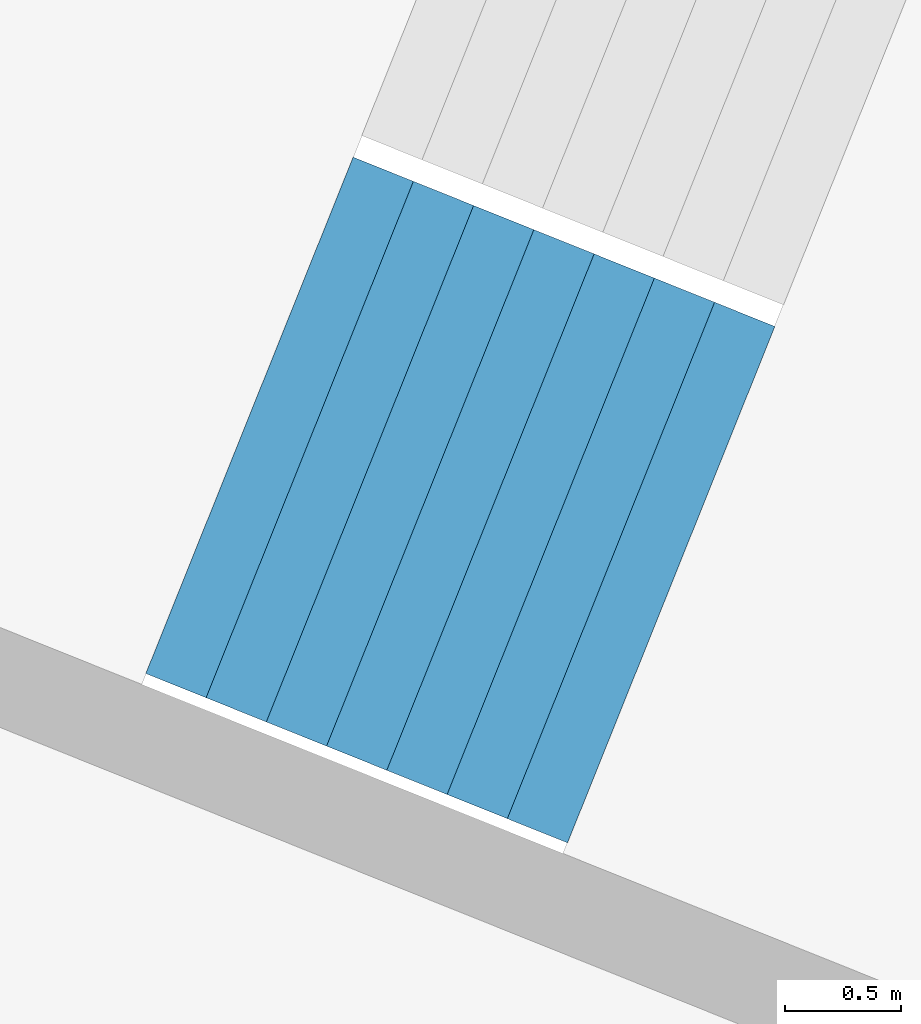
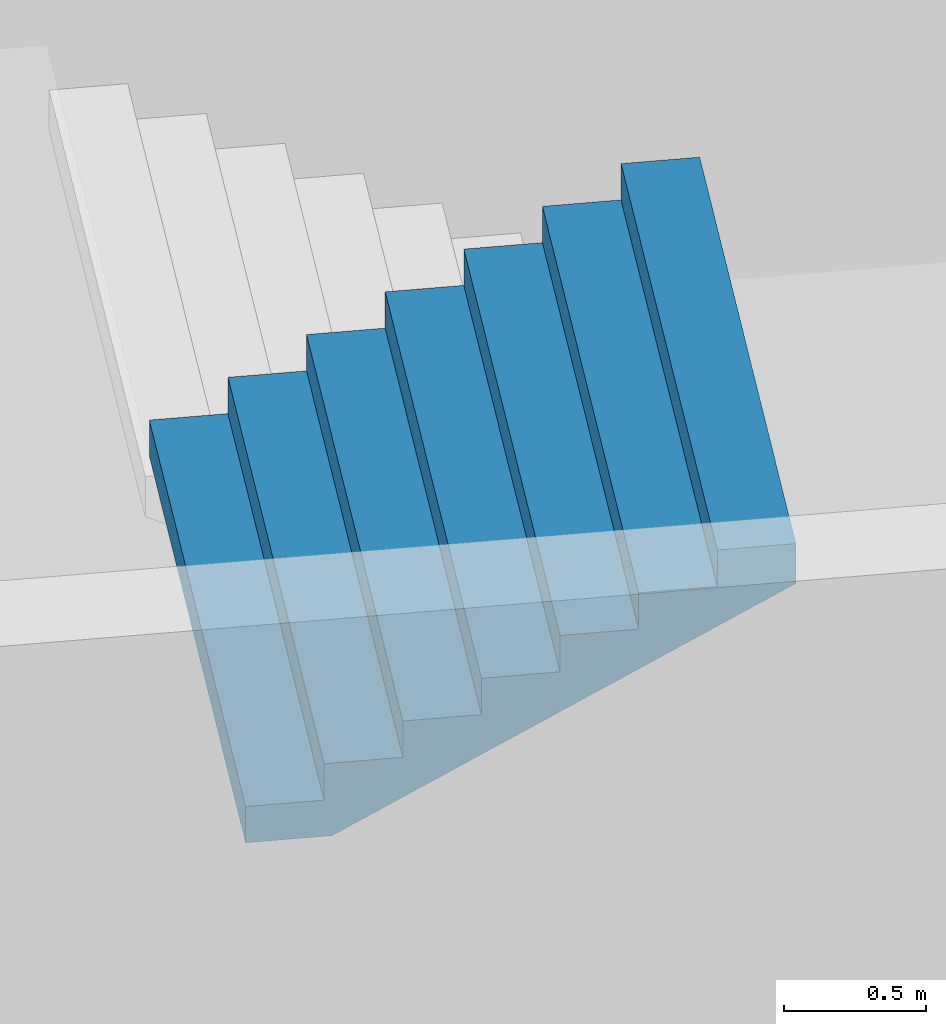
# One storey, part 34 of 73: 1 stair flight, 1 element without a shape of its own.
"""IFC4 building model written with IfcOpenShell, lengths in metres."""

import ifcopenshell
import ifcopenshell.guid

model = None  # the IFC model being written
_history = None  # IfcOwnerHistory: only IFC2X3 demands one
_inside = {}  # id of a spatial element -> (the spatial element, [elements in it])
_under = {}  # id of a project, library or spatial element -> (it, [spatial elements below it])
_declared = {}  # id of a project -> (the project, [libraries it declares])
_typed = {}  # id of a type object -> (the type object, [elements of that type])
_made_of = {}  # id of a material, layer set ... -> (it, [elements and type objects made of it])


def new_model(schema):
    """Start an empty IFC model of exactly this schema.

    Asked for "IFC4X3", IfcOpenShell would pick the latest addendum, in which some entities
    have other attributes; the version numbers below select the first issue.
    IFC2X3 requires an IfcOwnerHistory on every rooted entity: one is made here for all.
    """
    global model, _history
    if schema == "IFC4X3":
        model = ifcopenshell.file(schema_version=(4, 3, 0, 0))
    else:
        model = ifcopenshell.file(schema=schema)
    _inside.clear()
    _under.clear()
    _declared.clear()
    _typed.clear()
    _made_of.clear()
    _history = None
    if model.schema == "IFC2X3":
        org = make("IfcOrganization", Name="unknown")
        user = make(
            "IfcPersonAndOrganization",
            ThePerson=make("IfcPerson", FamilyName="unknown"),
            TheOrganization=org,
        )
        app = make(
            "IfcApplication",
            ApplicationDeveloper=org,
            Version="unknown",
            ApplicationFullName="unknown",
            ApplicationIdentifier="unknown",
        )
        _history = make(
            "IfcOwnerHistory",
            OwningUser=user,
            OwningApplication=app,
            ChangeAction="ADDED",
            CreationDate=0,
        )
    return model


def make(cls, **values):
    """One entity of the class cls with the attributes given. An attribute that is None is left unset."""
    return model.create_entity(
        cls, **{name: value for name, value in values.items() if value is not None}
    )


def rooted(cls, **values):
    """An entity with a GlobalId (a new one), such as an element, a storey or a relation."""
    return make(cls, GlobalId=ifcopenshell.guid.new(), OwnerHistory=_history, **values)


def si_unit(unit_type, name, prefix=None):
    """IfcSIUnit, for example si_unit("LENGTHUNIT", "METRE", prefix="MILLI")."""
    return make("IfcSIUnit", UnitType=unit_type, Prefix=prefix, Name=name)


def assignment(units):
    """IfcUnitAssignment: the units of a project."""
    return None if units is None else make("IfcUnitAssignment", Units=units)


def point(xyz):
    """IfcCartesianPoint."""
    return None if xyz is None else make("IfcCartesianPoint", Coordinates=xyz)


def direction(xyz):
    """IfcDirection."""
    return None if xyz is None else make("IfcDirection", DirectionRatios=xyz)


def frame(location, z_axis=None, x_axis=None):
    """IfcAxis2Placement3D, a coordinate frame: its origin and axes. An axis left out is left unset."""
    return make(
        "IfcAxis2Placement3D",
        Location=point(location),
        Axis=direction(z_axis),
        RefDirection=direction(x_axis),
    )


def origin():
    """The frame at (0, 0, 0) with its axes left unset."""
    return frame((0.0, 0.0, 0.0))


def place(relative_to, where):
    """IfcLocalPlacement: puts the frame where relative to a parent placement (None: the world)."""
    return make(
        "IfcLocalPlacement", PlacementRelTo=relative_to, RelativePlacement=where
    )


def context(
    kind, dimensions, precision=None, world=None, true_north=None, identifier=None
):
    """IfcGeometricRepresentationContext, for example the 3D "Model" context."""
    return make(
        "IfcGeometricRepresentationContext",
        ContextIdentifier=identifier,
        ContextType=kind,
        CoordinateSpaceDimension=dimensions,
        Precision=precision,
        WorldCoordinateSystem=world,
        TrueNorth=true_north,
    )


def subcontext(parent, identifier, kind, view, scale=None):
    """IfcGeometricRepresentationSubContext, for example "Body" below "Model"."""
    return make(
        "IfcGeometricRepresentationSubContext",
        ContextIdentifier=identifier,
        ContextType=kind,
        ParentContext=parent,
        TargetScale=scale,
        TargetView=view,
    )


def project(units=None, contexts=None):
    """IfcProject with its units and contexts."""
    return rooted(
        "IfcProject",
        Name="project",
        RepresentationContexts=contexts,
        UnitsInContext=assignment(units),
    )


def spatial(cls, under=None, at=None, **own):
    """A site, building, storey or space (cls), placed at a placement, below another one or the project."""
    s = rooted(cls, ObjectPlacement=at, **own)
    if under is not None:
        _under.setdefault(under.id(), (under, []))[1].append(s)
    return s


def point_list(points):
    """IfcCartesianPointList2D or 3D."""
    cls = (
        "IfcCartesianPointList2D" if len(points[0]) == 2 else "IfcCartesianPointList3D"
    )
    return make(cls, CoordList=points)


def triangles(points, corners, closed=None, point_numbers=None):
    """IfcTriangulatedFaceSet: each triangle names its three corners, points numbered from 1."""
    return make(
        "IfcTriangulatedFaceSet",
        Coordinates=point_list(points),
        Closed=closed,
        CoordIndex=corners,
        PnIndex=point_numbers,
    )


def shape(context_of_items, identifier, shape_type, items):
    """IfcShapeRepresentation: the items that make up one representation, for example the "Body"."""
    return make(
        "IfcShapeRepresentation",
        ContextOfItems=context_of_items,
        RepresentationIdentifier=identifier,
        RepresentationType=shape_type,
        Items=items,
    )


def material(Name=None, Category=None):
    """IfcMaterial."""
    return make("IfcMaterial", Name=Name, Category=Category)


def made_of(thing, what):
    """Note that an element or type object is made of a material, layer set ...; save() writes the relation."""
    if what is not None:
        _made_of.setdefault(what.id(), (what, []))[1].append(thing)
    return thing


def type_object(cls, material=None, **own):
    """A type object (cls), such as IfcWallType, which elements share."""
    return made_of(rooted(cls, **own), material)


def element(
    cls,
    number,
    at=None,
    inside=None,
    cuts=None,
    type_object=None,
    material=None,
    context=None,
    identifier="Body",
    shape_type=None,
    held_by="IfcProductDefinitionShape",
    body=None,
    shapes=None,
    **own,
):
    """One element of the class cls, such as IfcWall. Its Tag is "e" and its number.

    at: its placement. inside: the storey or other place that contains it. cuts: it is an
    opening in that element (IfcRelVoidsElement). A single representation is given by context,
    identifier, shape_type and body (its items); several are given by shapes. held_by: the class
    of the entity that holds the representations. save() writes the other relations.
    """
    e = rooted(cls, Tag="e%d" % number, ObjectPlacement=at, **own)
    if body is not None:
        shapes = [shape(context, identifier, shape_type, body)]
    if shapes is not None:
        e.Representation = make(held_by, Representations=shapes)
    if inside is not None:
        _inside.setdefault(inside.id(), (inside, []))[1].append(e)
    if cuts is not None:
        rooted(
            "IfcRelVoidsElement", RelatingBuildingElement=cuts, RelatedOpeningElement=e
        )
    if type_object is not None:
        _typed.setdefault(type_object.id(), (type_object, []))[1].append(e)
    return made_of(e, material)


def aggregate(whole, parts):
    """IfcRelAggregates: a whole, such as a stair, and the parts it consists of."""
    return rooted("IfcRelAggregates", RelatingObject=whole, RelatedObjects=parts)


def save(model, path):
    """Write the relations noted so far, then the file.

    IfcRelAggregates (storeys below a building ...), IfcRelContainedInSpatialStructure (elements
    in a storey), IfcRelDefinesByType, IfcRelAssociatesMaterial and IfcRelDeclares: one each for
    every whole, place, type object, material and project.
    """
    for whole, parts in _under.values():
        aggregate(whole, parts)
    for where, things in _inside.values():
        rooted(
            "IfcRelContainedInSpatialStructure",
            RelatedElements=things,
            RelatingStructure=where,
        )
    for kind, things in _typed.values():
        rooted("IfcRelDefinesByType", RelatedObjects=things, RelatingType=kind)
    for what, things in _made_of.values():
        rooted("IfcRelAssociatesMaterial", RelatedObjects=things, RelatingMaterial=what)
    for by, libraries in _declared.values():
        rooted("IfcRelDeclares", RelatingContext=by, RelatedDefinitions=libraries)
    model.write(path)


model = new_model("IFC4")

# Units and contexts
model_context = context("Model", 3, precision=1e-05, world=origin(), true_north=direction((0.0, 1.0)))
body_context = subcontext(model_context, "Body", "Model", "MODEL_VIEW")
ifc_project = project(units=[si_unit("LENGTHUNIT", "METRE"), si_unit("AREAUNIT", "SQUARE_METRE"), si_unit("VOLUMEUNIT", "CUBIC_METRE"), si_unit("PLANEANGLEUNIT", "RADIAN"), si_unit("MASSUNIT", "GRAM", prefix="KILO")], contexts=[model_context])

# Site, building, storey
site_placement = place(None, origin())
site = spatial("IfcSite", under=ifc_project, at=site_placement, CompositionType="ELEMENT")
building_placement = place(site_placement, origin())
building = spatial("IfcBuilding", under=site, at=building_placement, Name="Lantaw Convention Tower", CompositionType="ELEMENT")
storey_placement = place(building_placement, frame((0.0, 0.0, 27.0)))
storey = spatial("IfcBuildingStorey", under=building, at=storey_placement, Name="L04", CompositionType="ELEMENT", Elevation=27.0)

# Stair, stair flight
ifc_material = material(Name="Concrete C35/45", Category="concrete")
stair_type = type_object("IfcStairType", Name="Exit stair 2400 riser 156.25 in 4 flights", PredefinedType="HALF_TURN_STAIR", material=ifc_material)
stair_placement = place(storey_placement, origin())
stair = element("IfcStair", 1, at=stair_placement, inside=storey, type_object=stair_type, Name="Podium exit stair P8 L04", PredefinedType="HALF_TURN_STAIR")
stair_flight_type = type_object("IfcStairFlightType", Name="Stair flight 2400 riser 156.25", PredefinedType="STRAIGHT", material=ifc_material)
stair_flight_placement = place(storey_placement, frame((-38.5498046875, 14.12841796875, 3.75), z_axis=(0.0, 0.0, 1.0), x_axis=(0.928015168305, -0.372542410198, 0.0)))
stair_flight = element("IfcStairFlight", 2, at=stair_flight_placement, type_object=stair_flight_type, Name="P8 flight 4", NumberOfRisers=8, NumberOfTreads=7, PredefinedType="STRAIGHT", RiserHeight=0.15625, TreadLength=0.28, context=body_context, shape_type="Tessellation", body=[
    triangles([(0.0, 1.199951171875, 0.0), (0.0, 1.199951171875, 0.15625), (0.28, 1.199951171875, 0.0), (0.28, 1.199951171875, 0.15625), (0.28, 1.199951171875, 0.3125), (0.3076200632058044, 1.199951171875, 0.0), (0.3076200632058044, 1.199951171875, 0.3125), (0.56, 1.199951171875, 0.14083701830033238), (0.56, 1.199951171875, 0.3125), (0.56, 1.199951171875, 0.46875), (0.8400000000000001, 1.199951171875, 0.29708701830033235), (0.8400000000000001, 1.199951171875, 0.46875), (0.8400000000000001, 1.199951171875, 0.625), (1.12, 1.199951171875, 0.45333701830033235), (1.12, 1.199951171875, 0.625), (1.12, 1.199951171875, 0.78125), (1.4000000000000001, 1.199951171875, 0.6095870183003324), (1.4000000000000001, 1.199951171875, 0.78125), (1.4000000000000001, 1.199951171875, 0.9375), (1.6800000000000002, 1.199951171875, 0.7658370183003324), (1.6800000000000002, 1.199951171875, 0.9375), (1.6800000000000002, 1.199951171875, 1.09375), (1.9600000000000002, 1.199951171875, 0.9220870183003324), (1.9600000000000002, 1.199951171875, 1.09375), (0.0, -1.199951171875, 0.0), (0.0, -1.199951171875, 0.15625), (0.28, -1.199951171875, 0.0), (0.28, -1.199951171875, 0.15625), (0.28, -1.199951171875, 0.3125), (0.3076200632058044, -1.199951171875, 0.0), (0.3076200632058044, -1.199951171875, 0.3125), (0.56, -1.199951171875, 0.14083701830033238), (0.56, -1.199951171875, 0.3125), (0.56, -1.199951171875, 0.46875), (0.8400000000000001, -1.199951171875, 0.29708701830033235), (0.8400000000000001, -1.199951171875, 0.46875), (0.8400000000000001, -1.199951171875, 0.625), (1.12, -1.199951171875, 0.45333701830033235), (1.12, -1.199951171875, 0.625), (1.12, -1.199951171875, 0.78125), (1.4000000000000001, -1.199951171875, 0.6095870183003324), (1.4000000000000001, -1.199951171875, 0.78125), (1.4000000000000001, -1.199951171875, 0.9375), (1.6800000000000002, -1.199951171875, 0.7658370183003324), (1.6800000000000002, -1.199951171875, 0.9375), (1.6800000000000002, -1.199951171875, 1.09375), (1.9600000000000002, -1.199951171875, 0.9220870183003324), (1.9600000000000002, -1.199951171875, 1.09375), (0.0, 0.239990234375, 0.15625), (0.0, 0.239990234375, 0.0), (0.0, 0.1919921875, 0.15625), (0.0, 0.1919921875, 0.0), (0.0, 0.143994140625, 0.15625), (0.0, 0.143994140625, 0.0), (0.0, 0.09599609375, 0.15625), (0.0, 0.09599609375, 0.0), (0.0, 0.047998046875, 0.15625), (0.0, 0.047998046875, 0.0), (0.0, 0.0, 0.15625), (0.0, 0.0, 0.0), (0.0, -0.047998046875, 0.15625), (0.0, -0.047998046875, 0.0), (0.0, -0.09599609375, 0.15625), (0.0, -0.09599609375, 0.0), (0.0, -0.143994140625, 0.15625), (0.0, -0.143994140625, 0.0), (0.0, -0.1919921875, 0.15625), (0.0, -0.1919921875, 0.0), (0.0, -0.239990234375, 0.15625), (0.0, -0.239990234375, 0.0), (0.28, 0.239990234375, 0.3125), (0.28, 0.239990234375, 0.15625), (0.28, 0.1919921875, 0.3125), (0.28, 0.1919921875, 0.15625), (0.28, 0.143994140625, 0.3125), (0.28, 0.143994140625, 0.15625), (0.28, 0.09599609375, 0.3125), (0.28, 0.09599609375, 0.15625), (0.28, 0.047998046875, 0.3125), (0.28, 0.047998046875, 0.15625), (0.28, 0.0, 0.3125), (0.28, 0.0, 0.15625), (0.28, -0.047998046875, 0.3125), (0.28, -0.047998046875, 0.15625), (0.28, -0.09599609375, 0.3125), (0.28, -0.09599609375, 0.15625), (0.28, -0.143994140625, 0.3125), (0.28, -0.143994140625, 0.15625), (0.28, -0.1919921875, 0.3125), (0.28, -0.1919921875, 0.15625), (0.28, -0.239990234375, 0.3125), (0.28, -0.239990234375, 0.15625), (0.56, 0.239990234375, 0.46875), (0.56, 0.239990234375, 0.3125), (0.56, 0.1919921875, 0.46875), (0.56, 0.1919921875, 0.3125), (0.56, 0.143994140625, 0.46875), (0.56, 0.143994140625, 0.3125), (0.56, 0.09599609375, 0.46875), (0.56, 0.09599609375, 0.3125), (0.56, 0.047998046875, 0.46875), (0.56, 0.047998046875, 0.3125), (0.56, 0.0, 0.46875), (0.56, 0.0, 0.3125), (0.56, -0.047998046875, 0.46875), (0.56, -0.047998046875, 0.3125), (0.56, -0.09599609375, 0.46875), (0.56, -0.09599609375, 0.3125), (0.56, -0.143994140625, 0.46875), (0.56, -0.143994140625, 0.3125), (0.56, -0.1919921875, 0.46875), (0.56, -0.1919921875, 0.3125), (0.56, -0.239990234375, 0.46875), (0.56, -0.239990234375, 0.3125), (0.8400000000000001, 0.239990234375, 0.625), (0.8400000000000001, 0.239990234375, 0.46875), (0.8400000000000001, 0.1919921875, 0.625), (0.8400000000000001, 0.1919921875, 0.46875), (0.8400000000000001, 0.143994140625, 0.625), (0.8400000000000001, 0.143994140625, 0.46875), (0.8400000000000001, 0.09599609375, 0.625), (0.8400000000000001, 0.09599609375, 0.46875), (0.8400000000000001, 0.047998046875, 0.625), (0.8400000000000001, 0.047998046875, 0.46875), (0.8400000000000001, 0.0, 0.625), (0.8400000000000001, 0.0, 0.46875), (0.8400000000000001, -0.047998046875, 0.625), (0.8400000000000001, -0.047998046875, 0.46875), (0.8400000000000001, -0.09599609375, 0.625), (0.8400000000000001, -0.09599609375, 0.46875), (0.8400000000000001, -0.143994140625, 0.625), (0.8400000000000001, -0.143994140625, 0.46875), (0.8400000000000001, -0.1919921875, 0.625), (0.8400000000000001, -0.1919921875, 0.46875), (0.8400000000000001, -0.239990234375, 0.625), (0.8400000000000001, -0.239990234375, 0.46875), (1.12, 0.239990234375, 0.78125), (1.12, 0.239990234375, 0.625), (1.12, 0.1919921875, 0.78125), (1.12, 0.1919921875, 0.625), (1.12, 0.143994140625, 0.78125), (1.12, 0.143994140625, 0.625), (1.12, 0.09599609375, 0.78125), (1.12, 0.09599609375, 0.625), (1.12, 0.047998046875, 0.78125), (1.12, 0.047998046875, 0.625), (1.12, 0.0, 0.78125), (1.12, 0.0, 0.625), (1.12, -0.047998046875, 0.78125), (1.12, -0.047998046875, 0.625), (1.12, -0.09599609375, 0.78125), (1.12, -0.09599609375, 0.625), (1.12, -0.143994140625, 0.78125), (1.12, -0.143994140625, 0.625), (1.12, -0.1919921875, 0.78125), (1.12, -0.1919921875, 0.625), (1.12, -0.239990234375, 0.78125), (1.12, -0.239990234375, 0.625), (1.4000000000000001, 0.239990234375, 0.9375), (1.4000000000000001, 0.239990234375, 0.78125), (1.4000000000000001, 0.1919921875, 0.9375), (1.4000000000000001, 0.1919921875, 0.78125), (1.4000000000000001, 0.143994140625, 0.9375), (1.4000000000000001, 0.143994140625, 0.78125), (1.4000000000000001, 0.09599609375, 0.9375), (1.4000000000000001, 0.09599609375, 0.78125), (1.4000000000000001, 0.047998046875, 0.9375), (1.4000000000000001, 0.047998046875, 0.78125), (1.4000000000000001, 0.0, 0.9375), (1.4000000000000001, 0.0, 0.78125), (1.4000000000000001, -0.047998046875, 0.9375), (1.4000000000000001, -0.047998046875, 0.78125), (1.4000000000000001, -0.09599609375, 0.9375), (1.4000000000000001, -0.09599609375, 0.78125), (1.4000000000000001, -0.143994140625, 0.9375), (1.4000000000000001, -0.143994140625, 0.78125), (1.4000000000000001, -0.1919921875, 0.9375), (1.4000000000000001, -0.1919921875, 0.78125), (1.4000000000000001, -0.239990234375, 0.9375), (1.4000000000000001, -0.239990234375, 0.78125), (1.6800000000000002, 0.239990234375, 1.09375), (1.6800000000000002, 0.239990234375, 0.9375), (1.6800000000000002, 0.1919921875, 1.09375), (1.6800000000000002, 0.1919921875, 0.9375), (1.6800000000000002, 0.143994140625, 1.09375), (1.6800000000000002, 0.143994140625, 0.9375), (1.6800000000000002, 0.09599609375, 1.09375), (1.6800000000000002, 0.09599609375, 0.9375), (1.6800000000000002, 0.047998046875, 1.09375), (1.6800000000000002, 0.047998046875, 0.9375), (1.6800000000000002, 0.0, 1.09375), (1.6800000000000002, 0.0, 0.9375), (1.6800000000000002, -0.047998046875, 1.09375), (1.6800000000000002, -0.047998046875, 0.9375), (1.6800000000000002, -0.09599609375, 1.09375), (1.6800000000000002, -0.09599609375, 0.9375), (1.6800000000000002, -0.143994140625, 1.09375), (1.6800000000000002, -0.143994140625, 0.9375), (1.6800000000000002, -0.1919921875, 1.09375), (1.6800000000000002, -0.1919921875, 0.9375), (1.6800000000000002, -0.239990234375, 1.09375), (1.6800000000000002, -0.239990234375, 0.9375), (0.3076200632058044, 0.239990234375, 0.3125), (0.3076200632058044, 0.1919921875, 0.3125), (0.3076200632058044, 0.143994140625, 0.3125), (0.3076200632058044, 0.09599609375, 0.3125), (0.3076200632058044, 0.047998046875, 0.3125), (0.3076200632058044, 0.0, 0.3125), (0.3076200632058044, -0.047998046875, 0.3125), (0.3076200632058044, -0.09599609375, 0.3125), (0.3076200632058044, -0.143994140625, 0.3125), (0.3076200632058044, -0.1919921875, 0.3125), (0.3076200632058044, -0.239990234375, 0.3125), (1.9600000000000002, 0.239990234375, 1.09375), (1.9600000000000002, 0.1919921875, 1.09375), (1.9600000000000002, 0.143994140625, 1.09375), (1.9600000000000002, 0.09599609375, 1.09375), (1.9600000000000002, 0.047998046875, 1.09375), (1.9600000000000002, 0.0, 1.09375), (1.9600000000000002, -0.047998046875, 1.09375), (1.9600000000000002, -0.09599609375, 1.09375), (1.9600000000000002, -0.143994140625, 1.09375), (1.9600000000000002, -0.1919921875, 1.09375), (1.9600000000000002, -0.239990234375, 1.09375), (1.9600000000000002, 0.239990234375, 0.9220870183003324), (1.9600000000000002, 0.1919921875, 0.9220870183003324), (1.9600000000000002, 0.143994140625, 0.9220870183003324), (1.9600000000000002, 0.09599609375, 0.9220870183003324), (1.9600000000000002, 0.047998046875, 0.9220870183003324), (1.9600000000000002, 0.0, 0.9220870183003324), (1.9600000000000002, -0.047998046875, 0.9220870183003324), (1.9600000000000002, -0.09599609375, 0.9220870183003324), (1.9600000000000002, -0.143994140625, 0.9220870183003324), (1.9600000000000002, -0.1919921875, 0.9220870183003324), (1.9600000000000002, -0.239990234375, 0.9220870183003324), (1.6800000000000002, 0.239990234375, 0.7658370183003324), (1.6800000000000002, 0.1919921875, 0.7658370183003324), (1.6800000000000002, 0.143994140625, 0.7658370183003324), (1.6800000000000002, 0.09599609375, 0.7658370183003324), (1.6800000000000002, 0.047998046875, 0.7658370183003324), (1.6800000000000002, 0.0, 0.7658370183003324), (1.6800000000000002, -0.047998046875, 0.7658370183003324), (1.6800000000000002, -0.09599609375, 0.7658370183003324), (1.6800000000000002, -0.143994140625, 0.7658370183003324), (1.6800000000000002, -0.1919921875, 0.7658370183003324), (1.6800000000000002, -0.239990234375, 0.7658370183003324), (1.4000000000000001, 0.239990234375, 0.6095870183003324), (1.4000000000000001, 0.1919921875, 0.6095870183003324), (1.4000000000000001, 0.143994140625, 0.6095870183003324), (1.4000000000000001, 0.09599609375, 0.6095870183003324), (1.4000000000000001, 0.047998046875, 0.6095870183003324), (1.4000000000000001, 0.0, 0.6095870183003324), (1.4000000000000001, -0.047998046875, 0.6095870183003324), (1.4000000000000001, -0.09599609375, 0.6095870183003324), (1.4000000000000001, -0.143994140625, 0.6095870183003324), (1.4000000000000001, -0.1919921875, 0.6095870183003324), (1.4000000000000001, -0.239990234375, 0.6095870183003324), (1.12, 0.239990234375, 0.45333701830033235), (1.12, 0.1919921875, 0.45333701830033235), (1.12, 0.143994140625, 0.45333701830033235), (1.12, 0.09599609375, 0.45333701830033235), (1.12, 0.047998046875, 0.45333701830033235), (1.12, 0.0, 0.45333701830033235), (1.12, -0.047998046875, 0.45333701830033235), (1.12, -0.09599609375, 0.45333701830033235), (1.12, -0.143994140625, 0.45333701830033235), (1.12, -0.1919921875, 0.45333701830033235), (1.12, -0.239990234375, 0.45333701830033235), (0.8400000000000001, 0.239990234375, 0.29708701830033235), (0.8400000000000001, 0.1919921875, 0.29708701830033235), (0.8400000000000001, 0.143994140625, 0.29708701830033235), (0.8400000000000001, 0.09599609375, 0.29708701830033235), (0.8400000000000001, 0.047998046875, 0.29708701830033235), (0.8400000000000001, 0.0, 0.29708701830033235), (0.8400000000000001, -0.047998046875, 0.29708701830033235), (0.8400000000000001, -0.09599609375, 0.29708701830033235), (0.8400000000000001, -0.143994140625, 0.29708701830033235), (0.8400000000000001, -0.1919921875, 0.29708701830033235), (0.8400000000000001, -0.239990234375, 0.29708701830033235), (0.56, 0.239990234375, 0.14083701830033238), (0.56, 0.1919921875, 0.14083701830033238), (0.56, 0.143994140625, 0.14083701830033238), (0.56, 0.09599609375, 0.14083701830033238), (0.56, 0.047998046875, 0.14083701830033238), (0.56, 0.0, 0.14083701830033238), (0.56, -0.047998046875, 0.14083701830033238), (0.56, -0.09599609375, 0.14083701830033238), (0.56, -0.143994140625, 0.14083701830033238), (0.56, -0.1919921875, 0.14083701830033238), (0.56, -0.239990234375, 0.14083701830033238), (0.3076200632058044, 0.239990234375, 0.0), (0.3076200632058044, 0.1919921875, 0.0), (0.3076200632058044, 0.143994140625, 0.0), (0.3076200632058044, 0.09599609375, 0.0), (0.3076200632058044, 0.047998046875, 0.0), (0.3076200632058044, 0.0, 0.0), (0.3076200632058044, -0.047998046875, 0.0), (0.3076200632058044, -0.09599609375, 0.0), (0.3076200632058044, -0.143994140625, 0.0), (0.3076200632058044, -0.1919921875, 0.0), (0.3076200632058044, -0.239990234375, 0.0), (0.28, 0.239990234375, 0.0), (0.28, 0.1919921875, 0.0), (0.28, 0.143994140625, 0.0), (0.28, 0.09599609375, 0.0), (0.28, 0.047998046875, 0.0), (0.28, 0.0, 0.0), (0.28, -0.047998046875, 0.0), (0.28, -0.09599609375, 0.0), (0.28, -0.143994140625, 0.0), (0.28, -0.1919921875, 0.0), (0.28, -0.239990234375, 0.0)], [[1, 4, 3], [1, 2, 4], [3, 4, 6], [4, 7, 6], [4, 5, 7], [6, 9, 8], [6, 7, 9], [8, 9, 11], [9, 12, 11], [9, 10, 12], [11, 12, 14], [12, 15, 14], [12, 13, 15], [14, 15, 17], [15, 18, 17], [15, 16, 18], [17, 18, 20], [18, 21, 20], [18, 19, 21], [20, 21, 23], [21, 24, 23], [21, 22, 24], [25, 27, 28], [25, 28, 26], [27, 30, 28], [28, 30, 31], [28, 31, 29], [30, 32, 33], [30, 33, 31], [32, 35, 33], [33, 35, 36], [33, 36, 34], [35, 38, 36], [36, 38, 39], [36, 39, 37], [38, 41, 39], [39, 41, 42], [39, 42, 40], [41, 44, 42], [42, 44, 45], [42, 45, 43], [44, 47, 45], [45, 47, 48], [45, 48, 46], [1, 49, 2], [1, 50, 49], [50, 51, 49], [50, 52, 51], [52, 53, 51], [52, 54, 53], [54, 55, 53], [54, 56, 55], [56, 57, 55], [56, 58, 57], [58, 59, 57], [58, 60, 59], [60, 61, 59], [60, 62, 61], [62, 63, 61], [62, 64, 63], [64, 65, 63], [64, 66, 65], [66, 67, 65], [66, 68, 67], [68, 69, 67], [68, 70, 69], [70, 26, 69], [70, 25, 26], [4, 71, 5], [4, 72, 71], [72, 73, 71], [72, 74, 73], [74, 75, 73], [74, 76, 75], [76, 77, 75], [76, 78, 77], [78, 79, 77], [78, 80, 79], [80, 81, 79], [80, 82, 81], [82, 83, 81], [82, 84, 83], [84, 85, 83], [84, 86, 85], [86, 87, 85], [86, 88, 87], [88, 89, 87], [88, 90, 89], [90, 91, 89], [90, 92, 91], [92, 29, 91], [92, 28, 29], [9, 93, 10], [9, 94, 93], [94, 95, 93], [94, 96, 95], [96, 97, 95], [96, 98, 97], [98, 99, 97], [98, 100, 99], [100, 101, 99], [100, 102, 101], [102, 103, 101], [102, 104, 103], [104, 105, 103], [104, 106, 105], [106, 107, 105], [106, 108, 107], [108, 109, 107], [108, 110, 109], [110, 111, 109], [110, 112, 111], [112, 113, 111], [112, 114, 113], [114, 34, 113], [114, 33, 34], [12, 115, 13], [12, 116, 115], [116, 117, 115], [116, 118, 117], [118, 119, 117], [118, 120, 119], [120, 121, 119], [120, 122, 121], [122, 123, 121], [122, 124, 123], [124, 125, 123], [124, 126, 125], [126, 127, 125], [126, 128, 127], [128, 129, 127], [128, 130, 129], [130, 131, 129], [130, 132, 131], [132, 133, 131], [132, 134, 133], [134, 135, 133], [134, 136, 135], [136, 37, 135], [136, 36, 37], [15, 137, 16], [15, 138, 137], [138, 139, 137], [138, 140, 139], [140, 141, 139], [140, 142, 141], [142, 143, 141], [142, 144, 143], [144, 145, 143], [144, 146, 145], [146, 147, 145], [146, 148, 147], [148, 149, 147], [148, 150, 149], [150, 151, 149], [150, 152, 151], [152, 153, 151], [152, 154, 153], [154, 155, 153], [154, 156, 155], [156, 157, 155], [156, 158, 157], [158, 40, 157], [158, 39, 40], [18, 159, 19], [18, 160, 159], [160, 161, 159], [160, 162, 161], [162, 163, 161], [162, 164, 163], [164, 165, 163], [164, 166, 165], [166, 167, 165], [166, 168, 167], [168, 169, 167], [168, 170, 169], [170, 171, 169], [170, 172, 171], [172, 173, 171], [172, 174, 173], [174, 175, 173], [174, 176, 175], [176, 177, 175], [176, 178, 177], [178, 179, 177], [178, 180, 179], [180, 43, 179], [180, 42, 43], [21, 181, 22], [21, 182, 181], [182, 183, 181], [182, 184, 183], [184, 185, 183], [184, 186, 185], [186, 187, 185], [186, 188, 187], [188, 189, 187], [188, 190, 189], [190, 191, 189], [190, 192, 191], [192, 193, 191], [192, 194, 193], [194, 195, 193], [194, 196, 195], [196, 197, 195], [196, 198, 197], [198, 199, 197], [198, 200, 199], [200, 201, 199], [200, 202, 201], [202, 46, 201], [202, 45, 46], [2, 72, 4], [2, 49, 72], [49, 74, 72], [49, 51, 74], [51, 76, 74], [51, 53, 76], [53, 78, 76], [53, 55, 78], [55, 80, 78], [55, 57, 80], [57, 82, 80], [57, 59, 82], [59, 84, 82], [59, 61, 84], [61, 86, 84], [61, 63, 86], [63, 88, 86], [63, 65, 88], [65, 90, 88], [65, 67, 90], [67, 92, 90], [67, 69, 92], [69, 28, 92], [69, 26, 28], [5, 203, 7], [5, 71, 203], [71, 204, 203], [71, 73, 204], [73, 205, 204], [73, 75, 205], [75, 206, 205], [75, 77, 206], [77, 207, 206], [77, 79, 207], [79, 208, 207], [79, 81, 208], [81, 209, 208], [81, 83, 209], [83, 210, 209], [83, 85, 210], [85, 211, 210], [85, 87, 211], [87, 212, 211], [87, 89, 212], [89, 213, 212], [89, 91, 213], [91, 31, 213], [91, 29, 31], [7, 94, 9], [7, 203, 94], [203, 96, 94], [203, 204, 96], [204, 98, 96], [204, 205, 98], [205, 100, 98], [205, 206, 100], [206, 102, 100], [206, 207, 102], [207, 104, 102], [207, 208, 104], [208, 106, 104], [208, 209, 106], [209, 108, 106], [209, 210, 108], [210, 110, 108], [210, 211, 110], [211, 112, 110], [211, 212, 112], [212, 114, 112], [212, 213, 114], [213, 33, 114], [213, 31, 33], [10, 116, 12], [10, 93, 116], [93, 118, 116], [93, 95, 118], [95, 120, 118], [95, 97, 120], [97, 122, 120], [97, 99, 122], [99, 124, 122], [99, 101, 124], [101, 126, 124], [101, 103, 126], [103, 128, 126], [103, 105, 128], [105, 130, 128], [105, 107, 130], [107, 132, 130], [107, 109, 132], [109, 134, 132], [109, 111, 134], [111, 136, 134], [111, 113, 136], [113, 36, 136], [113, 34, 36], [13, 138, 15], [13, 115, 138], [115, 140, 138], [115, 117, 140], [117, 142, 140], [117, 119, 142], [119, 144, 142], [119, 121, 144], [121, 146, 144], [121, 123, 146], [123, 148, 146], [123, 125, 148], [125, 150, 148], [125, 127, 150], [127, 152, 150], [127, 129, 152], [129, 154, 152], [129, 131, 154], [131, 156, 154], [131, 133, 156], [133, 158, 156], [133, 135, 158], [135, 39, 158], [135, 37, 39], [16, 160, 18], [16, 137, 160], [137, 162, 160], [137, 139, 162], [139, 164, 162], [139, 141, 164], [141, 166, 164], [141, 143, 166], [143, 168, 166], [143, 145, 168], [145, 170, 168], [145, 147, 170], [147, 172, 170], [147, 149, 172], [149, 174, 172], [149, 151, 174], [151, 176, 174], [151, 153, 176], [153, 178, 176], [153, 155, 178], [155, 180, 178], [155, 157, 180], [157, 42, 180], [157, 40, 42], [19, 182, 21], [19, 159, 182], [159, 184, 182], [159, 161, 184], [161, 186, 184], [161, 163, 186], [163, 188, 186], [163, 165, 188], [165, 190, 188], [165, 167, 190], [167, 192, 190], [167, 169, 192], [169, 194, 192], [169, 171, 194], [171, 196, 194], [171, 173, 196], [173, 198, 196], [173, 175, 198], [175, 200, 198], [175, 177, 200], [177, 202, 200], [177, 179, 202], [179, 45, 202], [179, 43, 45], [22, 214, 24], [22, 181, 214], [181, 215, 214], [181, 183, 215], [183, 216, 215], [183, 185, 216], [185, 217, 216], [185, 187, 217], [187, 218, 217], [187, 189, 218], [189, 219, 218], [189, 191, 219], [191, 220, 219], [191, 193, 220], [193, 221, 220], [193, 195, 221], [195, 222, 221], [195, 197, 222], [197, 223, 222], [197, 199, 223], [199, 224, 223], [199, 201, 224], [201, 48, 224], [201, 46, 48], [24, 225, 23], [24, 214, 225], [214, 226, 225], [214, 215, 226], [215, 227, 226], [215, 216, 227], [216, 228, 227], [216, 217, 228], [217, 229, 228], [217, 218, 229], [218, 230, 229], [218, 219, 230], [219, 231, 230], [219, 220, 231], [220, 232, 231], [220, 221, 232], [221, 233, 232], [221, 222, 233], [222, 234, 233], [222, 223, 234], [223, 235, 234], [223, 224, 235], [224, 47, 235], [224, 48, 47], [23, 236, 20], [23, 225, 236], [225, 237, 236], [225, 226, 237], [226, 238, 237], [226, 227, 238], [227, 239, 238], [227, 228, 239], [228, 240, 239], [228, 229, 240], [229, 241, 240], [229, 230, 241], [230, 242, 241], [230, 231, 242], [231, 243, 242], [231, 232, 243], [232, 244, 243], [232, 233, 244], [233, 245, 244], [233, 234, 245], [234, 246, 245], [234, 235, 246], [235, 44, 246], [235, 47, 44], [20, 247, 17], [20, 236, 247], [236, 248, 247], [236, 237, 248], [237, 249, 248], [237, 238, 249], [238, 250, 249], [238, 239, 250], [239, 251, 250], [239, 240, 251], [240, 252, 251], [240, 241, 252], [241, 253, 252], [241, 242, 253], [242, 254, 253], [242, 243, 254], [243, 255, 254], [243, 244, 255], [244, 256, 255], [244, 245, 256], [245, 257, 256], [245, 246, 257], [246, 41, 257], [246, 44, 41], [17, 258, 14], [17, 247, 258], [247, 259, 258], [247, 248, 259], [248, 260, 259], [248, 249, 260], [249, 261, 260], [249, 250, 261], [250, 262, 261], [250, 251, 262], [251, 263, 262], [251, 252, 263], [252, 264, 263], [252, 253, 264], [253, 265, 264], [253, 254, 265], [254, 266, 265], [254, 255, 266], [255, 267, 266], [255, 256, 267], [256, 268, 267], [256, 257, 268], [257, 38, 268], [257, 41, 38], [14, 269, 11], [14, 258, 269], [258, 270, 269], [258, 259, 270], [259, 271, 270], [259, 260, 271], [260, 272, 271], [260, 261, 272], [261, 273, 272], [261, 262, 273], [262, 274, 273], [262, 263, 274], [263, 275, 274], [263, 264, 275], [264, 276, 275], [264, 265, 276], [265, 277, 276], [265, 266, 277], [266, 278, 277], [266, 267, 278], [267, 279, 278], [267, 268, 279], [268, 35, 279], [268, 38, 35], [11, 280, 8], [11, 269, 280], [269, 281, 280], [269, 270, 281], [270, 282, 281], [270, 271, 282], [271, 283, 282], [271, 272, 283], [272, 284, 283], [272, 273, 284], [273, 285, 284], [273, 274, 285], [274, 286, 285], [274, 275, 286], [275, 287, 286], [275, 276, 287], [276, 288, 287], [276, 277, 288], [277, 289, 288], [277, 278, 289], [278, 290, 289], [278, 279, 290], [279, 32, 290], [279, 35, 32], [8, 291, 6], [8, 280, 291], [280, 292, 291], [280, 281, 292], [281, 293, 292], [281, 282, 293], [282, 294, 293], [282, 283, 294], [283, 295, 294], [283, 284, 295], [284, 296, 295], [284, 285, 296], [285, 297, 296], [285, 286, 297], [286, 298, 297], [286, 287, 298], [287, 299, 298], [287, 288, 299], [288, 300, 299], [288, 289, 300], [289, 301, 300], [289, 290, 301], [290, 30, 301], [290, 32, 30], [6, 302, 3], [6, 291, 302], [291, 303, 302], [291, 292, 303], [292, 304, 303], [292, 293, 304], [293, 305, 304], [293, 294, 305], [294, 306, 305], [294, 295, 306], [295, 307, 306], [295, 296, 307], [296, 308, 307], [296, 297, 308], [297, 309, 308], [297, 298, 309], [298, 310, 309], [298, 299, 310], [299, 311, 310], [299, 300, 311], [300, 312, 311], [300, 301, 312], [301, 27, 312], [301, 30, 27], [3, 50, 1], [3, 302, 50], [302, 52, 50], [302, 303, 52], [303, 54, 52], [303, 304, 54], [304, 56, 54], [304, 305, 56], [305, 58, 56], [305, 306, 58], [306, 60, 58], [306, 307, 60], [307, 62, 60], [307, 308, 62], [308, 64, 62], [308, 309, 64], [309, 66, 64], [309, 310, 66], [310, 68, 66], [310, 311, 68], [311, 70, 68], [311, 312, 70], [312, 25, 70], [312, 27, 25]], closed=True),
])
aggregate(stair, [stair_flight])

save(model, "model.ifc")
